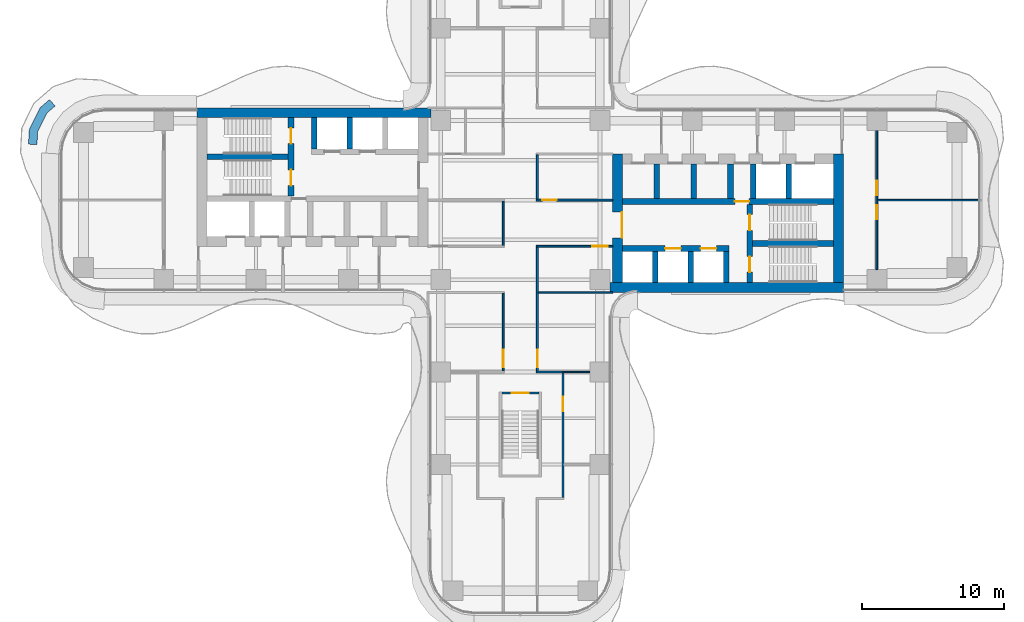
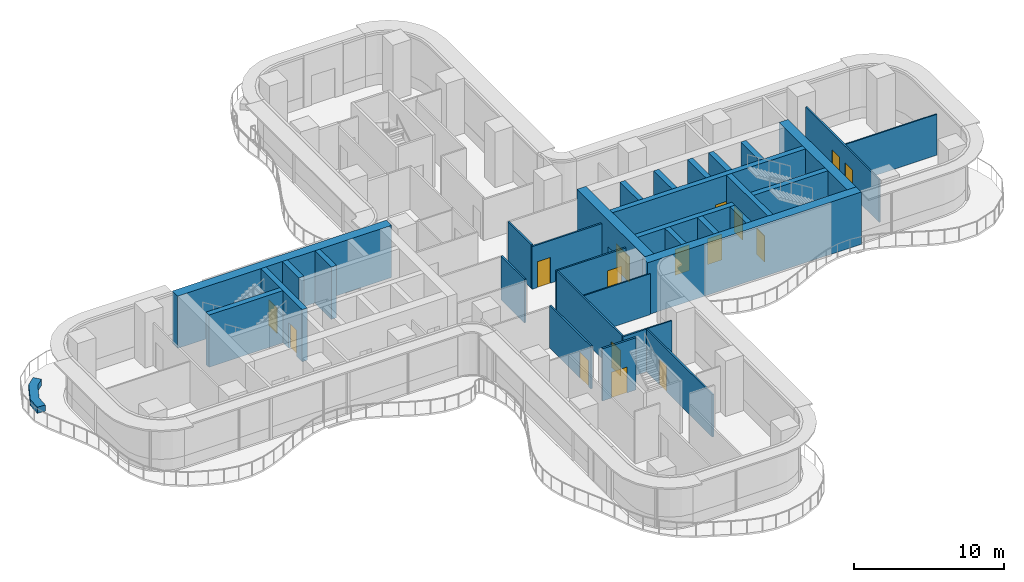
# One storey, part 18 of 22: 34 walls, 16 doors, 16 openings.
"""IFC4 building model written with IfcOpenShell, lengths in metres."""

from ifc_helpers import new_model, si_unit, direction, frame, frame_2d, origin, place, context, subcontext, project, spatial, polyline, rectangle, outline, extrude, source, transform, mapped, material, layer, layer_set, type_object, element, fill, save


model = new_model("IFC4")

# Units and contexts
model_context = context("Model", 3, precision=1e-05, world=origin(), true_north=direction((0.0, 1.0)))
body_context = subcontext(model_context, "Body", "Model", "MODEL_VIEW")
ifc_project = project(units=[si_unit("LENGTHUNIT", "METRE"), si_unit("AREAUNIT", "SQUARE_METRE"), si_unit("VOLUMEUNIT", "CUBIC_METRE"), si_unit("PLANEANGLEUNIT", "RADIAN"), si_unit("MASSUNIT", "GRAM", prefix="KILO")], contexts=[model_context])

# Site, building, storey
site_placement = place(None, origin())
site = spatial("IfcSite", under=ifc_project, at=site_placement, CompositionType="ELEMENT")
building_placement = place(site_placement, origin())
building = spatial("IfcBuilding", under=site, at=building_placement, Name="Trellis Farm Tower", CompositionType="ELEMENT")
storey_placement = place(building_placement, frame((0.0, 0.0, 61.0)))
storey = spatial("IfcBuildingStorey", under=building, at=storey_placement, Name="L12", CompositionType="ELEMENT", Elevation=61.0)

# Wall
ifc_material_1 = material(Name="Sandstone faced masonry planter", Category="masonry")
ifc_layer_1 = layer(ifc_material_1, 0.60009765625)
ifc_layer_set_1 = layer_set([ifc_layer_1], Name="PLANTER BED 600")
wall_type_1 = type_object("IfcWallType", Name="PLANTER BED 600", PredefinedType="USERDEFINED", material=ifc_layer_set_1)
wall_1_placement = place(storey_placement, origin())
element("IfcWall", 1, at=wall_1_placement, inside=storey, type_object=wall_type_1, Name="PLANTER bed", ObjectType="PLANTER", PredefinedType="USERDEFINED", context=body_context, shape_type="SweptSolid", body=[
    extrude(outline(polyline([(-33.799072265625, 6.5146484375), (-33.138916015625, 7.077880859375), (-32.74951171875, 6.62158203125), (-33.31689453125, 6.137451171875), (-33.974609375, 4.82080078125), (-34.0283203125, 3.905029296875), (-34.627197265625, 3.940185546875), (-34.566162109375, 4.97900390625), (-33.799072265625, 6.5146484375)])), origin(), (0.0, 0.0, 1.0), 0.5),
])

# Wall, opening, door
ifc_material_2 = material(Name="Concrete C80/95", Category="concrete")
ifc_layer_2 = layer(ifc_material_2, 0.699951171875)
ifc_layer_set_2 = layer_set([ifc_layer_2], Name="CORE OUTER WALL 700 CONCRETE C80/95")
wall_type_2 = type_object("IfcWallType", Name="CORE OUTER WALL 700 CONCRETE C80/95", PredefinedType="SHEAR", material=ifc_layer_set_2)
shared_shape_1 = source(origin(), body_context, "Body", "SweptSolid", [
    extrude(rectangle(XDim=9.050048828125, YDim=0.699951171875, at=frame_2d((4.52490234375, 0.0))), origin(), (0.0, 0.0, 1.0), 4.25),
])
wall_2_placement = place(storey_placement, frame((6.85009765625, -5.800048828125, 0.0), z_axis=(0.0, 0.0, 1.0), x_axis=(0.0, 1.0, 0.0)))
wall_2 = element("IfcWall", 2, at=wall_2_placement, inside=storey, type_object=wall_type_2, Name="Core wall", PredefinedType="SHEAR", context=body_context, shape_type="MappedRepresentation", body=[
    mapped(shared_shape_1, transform((0.0, 0.0, 0.0))),
])
shared_shape_2 = source(origin(), body_context, "Body", "SweptSolid", [
    extrude(rectangle(XDim=1.800048828125, YDim=2.10009765625, at=frame_2d((0.89990234375, 1.050048828125))), frame((0.0, 0.360107421875, 0.0), z_axis=(0.0, -1.0, 0.0), x_axis=(1.0, 0.0, 0.0)), (0.0, 0.0, 1.0), 0.72021484375),
])
opening_1_placement = place(wall_2_placement, frame((3.14990234375, 0.0, 0.0)))
opening_1 = element("IfcOpeningElement", 3, at=opening_1_placement, cuts=wall_2, Name="Opening DC1", PredefinedType="OPENING", context=body_context, shape_type="MappedRepresentation", body=[
    mapped(shared_shape_2, transform((0.0, 0.0, 0.0))),
])
ifc_material_3 = material(Name="Steel", Category="steel")
door_type_1 = type_object("IfcDoorType", Name="CORE FIRE DOOR DOUBLE 1800 X 2100", OperationType="DOUBLE_DOOR_SINGLE_SWING", PredefinedType="DOOR", material=ifc_material_3)
shared_shape_3 = source(origin(), body_context, "Body", "SweptSolid", [
    extrude(rectangle(XDim=1.800048828125, YDim=2.10009765625, at=frame_2d((0.89990234375, 1.050048828125))), frame((0.0, -0.27490234375, 0.0), z_axis=(0.0, -1.0, 0.0), x_axis=(1.0, 0.0, 0.0)), (0.0, 0.0, 1.0), 0.050048828125),
])
door_1_placement = place(opening_1_placement, origin())
door_1 = element("IfcDoor", 4, at=door_1_placement, inside=storey, type_object=door_type_1, Name="Core door", OperationType="DOUBLE_DOOR_SINGLE_SWING", OverallHeight=2.10009765625, OverallWidth=1.800048828125, PredefinedType="DOOR", context=body_context, shape_type="MappedRepresentation", body=[
    mapped(shared_shape_3, transform((0.0, 0.0, 0.0))),
])
fill(opening_1, door_1)

# Walls
wall_3_placement = place(storey_placement, frame((22.39990234375, -5.800048828125, 0.0), z_axis=(0.0, 0.0, 1.0), x_axis=(0.0, 1.0, 0.0)))
element("IfcWall", 5, at=wall_3_placement, inside=storey, type_object=wall_type_2, Name="Core wall", PredefinedType="SHEAR", context=body_context, shape_type="MappedRepresentation", body=[
    mapped(shared_shape_1, transform((0.0, 0.0, 0.0))),
])
ifc_layer_3 = layer(ifc_material_2, 0.39990234375)
ifc_layer_set_3 = layer_set([ifc_layer_3], Name="CORE INNER WALL 400 CONCRETE C80/95")
wall_type_3 = type_object("IfcWallType", Name="CORE INNER WALL 400 CONCRETE C80/95", PredefinedType="SHEAR", material=ifc_layer_set_3)
shared_shape_4 = source(origin(), body_context, "Body", "SweptSolid", [
    extrude(rectangle(XDim=2.199951171875, YDim=0.39990234375, at=frame_2d((1.10009765625, 0.0))), origin(), (0.0, 0.0, 1.0), 4.25),
])
for number, where, z_axis, x_axis, name in (
    (6, (9.5, -5.800048828125, 0.0), (0.0, 0.0, 1.0), (0.0, 1.0, 0.0), "Core wall"),
    (7, (12.0, -5.800048828125, 0.0), (0.0, 0.0, 1.0), (0.0, 1.0, 0.0), "Core wall"),
    (8, (14.5, -5.800048828125, 0.0), (0.0, 0.0, 1.0), (0.0, 1.0, 0.0), "Core wall"),
    (9, (-12.0, 5.800048828125, 0.0), (0.0, 0.0, 1.0), (0.0, -1.0, 0.0), "Core wall"),
    (10, (-14.5, 5.800048828125, 0.0), (0.0, 0.0, 1.0), (0.0, -1.0, 0.0), "Core wall"),
):
    element("IfcWall", number, at=place(storey_placement, frame(where, z_axis=z_axis, x_axis=x_axis)), inside=storey, type_object=wall_type_3, Name=name, PredefinedType="SHEAR", context=body_context, shape_type="MappedRepresentation", body=[
        mapped(shared_shape_4, transform((0.0, 0.0, 0.0))),
    ])
shared_shape_5 = source(origin(), body_context, "Body", "SweptSolid", [
    extrude(rectangle(XDim=2.449951171875, YDim=0.39990234375, at=frame_2d((1.22509765625, 0.0))), origin(), (0.0, 0.0, 1.0), 4.25),
])
for number, where, z_axis, x_axis, name in (
    (11, (9.60009765625, 0.10009765625, 0.0), (0.0, 0.0, 1.0), (0.0, 1.0, 0.0), "Core wall"),
    (12, (12.199951171875, 0.10009765625, 0.0), (0.0, 0.0, 1.0), (0.0, 1.0, 0.0), "Core wall"),
    (13, (14.800048828125, 0.10009765625, 0.0), (0.0, 0.0, 1.0), (0.0, 1.0, 0.0), "Core wall"),
    (14, (16.39990234375, 0.10009765625, 0.0), (0.0, 0.0, 1.0), (0.0, 1.0, 0.0), "Core wall"),
    (15, (18.89990234375, 0.10009765625, 0.0), (0.0, 0.0, 1.0), (0.0, 1.0, 0.0), "Core wall"),
):
    element("IfcWall", number, at=place(storey_placement, frame(where, z_axis=z_axis, x_axis=x_axis)), inside=storey, type_object=wall_type_3, Name=name, PredefinedType="SHEAR", context=body_context, shape_type="MappedRepresentation", body=[
        mapped(shared_shape_5, transform((0.0, 0.0, 0.0))),
    ])
shared_shape_6 = source(origin(), body_context, "Body", "SweptSolid", [
    extrude(rectangle(XDim=16.449951171875, YDim=0.699951171875, at=frame_2d((8.22509765625, 0.0))), origin(), (0.0, 0.0, 1.0), 4.25),
])
for number, where, z_axis, x_axis, name in (
    (16, (6.300048828125, -6.14990234375, 0.0), (0.0, 0.0, 1.0), (1.0, 0.0, 0.0), "Core wall"),
    (17, (-6.300048828125, 6.14990234375, 0.0), (0.0, 0.0, 1.0), (-1.0, 0.0, 0.0), "Core wall"),
):
    element("IfcWall", number, at=place(storey_placement, frame(where, z_axis=z_axis, x_axis=x_axis)), inside=storey, type_object=wall_type_2, Name=name, PredefinedType="SHEAR", context=body_context, shape_type="MappedRepresentation", body=[
        mapped(shared_shape_6, transform((0.0, 0.0, 0.0))),
    ])

# Wall, openings, doors
shared_shape_7 = source(origin(), body_context, "Body", "SweptSolid", [
    extrude(rectangle(XDim=7.5, YDim=0.39990234375, at=frame_2d((3.75, 0.0))), origin(), (0.0, 0.0, 1.0), 4.25),
])
wall_4_placement = place(storey_placement, frame((7.199951171875, -3.39990234375, 0.0), z_axis=(0.0, 0.0, 1.0), x_axis=(1.0, 0.0, 0.0)))
wall_4 = element("IfcWall", 18, at=wall_4_placement, inside=storey, type_object=wall_type_3, Name="Core wall", PredefinedType="SHEAR", context=body_context, shape_type="MappedRepresentation", body=[
    mapped(shared_shape_7, transform((0.0, 0.0, 0.0))),
])
shared_shape_8 = source(origin(), body_context, "Body", "SweptSolid", [
    extrude(rectangle(XDim=1.10009765625, YDim=2.10009765625, at=frame_2d((0.550048828125, 1.050048828125))), frame((0.0, 0.2099609375, 0.0), z_axis=(0.0, -1.0, 0.0), x_axis=(1.0, 0.0, 0.0)), (0.0, 0.0, 1.0), 0.419921875),
])
opening_2_placement = place(wall_4_placement, frame((3.0, 0.0, 0.0)))
opening_2 = element("IfcOpeningElement", 19, at=opening_2_placement, cuts=wall_4, Name="Opening LD2", PredefinedType="OPENING", context=body_context, shape_type="MappedRepresentation", body=[
    mapped(shared_shape_8, transform((0.0, 0.0, 0.0))),
])
opening_3_placement = place(wall_4_placement, frame((5.5, 0.0, 0.0)))
opening_3 = element("IfcOpeningElement", 20, at=opening_3_placement, cuts=wall_4, Name="Opening LD3", PredefinedType="OPENING", context=body_context, shape_type="MappedRepresentation", body=[
    mapped(shared_shape_8, transform((0.0, 0.0, 0.0))),
])
ifc_material_4 = material(Name="Stainless steel", Category="steel")
door_type_2 = type_object("IfcDoorType", Name="LIFT LANDING DOOR 1100 X 2100", OperationType="DOUBLE_DOOR_SLIDING", PredefinedType="DOOR", material=ifc_material_4)
shared_shape_9 = source(origin(), body_context, "Body", "SweptSolid", [
    extrude(rectangle(XDim=1.10009765625, YDim=2.10009765625, at=frame_2d((0.550048828125, 1.050048828125))), frame((0.0, 0.02490234375, 0.0), z_axis=(0.0, -1.0, 0.0), x_axis=(1.0, 0.0, 0.0)), (0.0, 0.0, 1.0), 0.050048828125),
])
door_2_placement = place(opening_2_placement, origin())
door_2 = element("IfcDoor", 21, at=door_2_placement, inside=storey, type_object=door_type_2, Name="Lift landing door", OperationType="DOUBLE_DOOR_SLIDING", OverallHeight=2.10009765625, OverallWidth=1.10009765625, PredefinedType="DOOR", context=body_context, shape_type="MappedRepresentation", body=[
    mapped(shared_shape_9, transform((0.0, 0.0, 0.0))),
])
fill(opening_2, door_2)
door_3_placement = place(opening_3_placement, origin())
door_3 = element("IfcDoor", 22, at=door_3_placement, inside=storey, type_object=door_type_2, Name="Lift landing door", OperationType="DOUBLE_DOOR_SLIDING", OverallHeight=2.10009765625, OverallWidth=1.10009765625, PredefinedType="DOOR", context=body_context, shape_type="MappedRepresentation", body=[
    mapped(shared_shape_9, transform((0.0, 0.0, 0.0))),
])
fill(opening_3, door_3)

# Wall, opening, door
shared_shape_10 = source(origin(), body_context, "Body", "SweptSolid", [
    extrude(rectangle(XDim=14.85009765625, YDim=0.39990234375, at=frame_2d((7.425048828125, 0.0))), origin(), (0.0, 0.0, 1.0), 4.25),
])
wall_5_placement = place(storey_placement, frame((7.199951171875, -0.10009765625, 0.0), z_axis=(0.0, 0.0, 1.0), x_axis=(1.0, 0.0, 0.0)))
wall_5 = element("IfcWall", 23, at=wall_5_placement, inside=storey, type_object=wall_type_3, Name="Core wall", PredefinedType="SHEAR", context=body_context, shape_type="MappedRepresentation", body=[
    mapped(shared_shape_10, transform((0.0, 0.0, 0.0))),
])
shared_shape_11 = source(origin(), body_context, "Body", "SweptSolid", [
    extrude(rectangle(XDim=1.0, YDim=2.10009765625, at=frame_2d((0.5, 1.050048828125))), frame((0.0, 0.2099609375, 0.0), z_axis=(0.0, -1.0, 0.0), x_axis=(1.0, 0.0, 0.0)), (0.0, 0.0, 1.0), 0.419921875),
])
opening_4_placement = place(wall_5_placement, frame((7.89990234375, 0.0, 0.0)))
opening_4 = element("IfcOpeningElement", 24, at=opening_4_placement, cuts=wall_5, Name="Opening DC5", PredefinedType="OPENING", context=body_context, shape_type="MappedRepresentation", body=[
    mapped(shared_shape_11, transform((0.0, 0.0, 0.0))),
])
door_type_3 = type_object("IfcDoorType", Name="CORE FIRE DOOR 1000 X 2100", OperationType="NOTDEFINED", PredefinedType="DOOR", material=ifc_material_3)
shared_shape_12 = source(origin(), body_context, "Body", "SweptSolid", [
    extrude(rectangle(XDim=1.0, YDim=2.10009765625, at=frame_2d((0.5, 1.050048828125))), frame((0.0, 0.02490234375, 0.0), z_axis=(0.0, -1.0, 0.0), x_axis=(1.0, 0.0, 0.0)), (0.0, 0.0, 1.0), 0.050048828125),
])
door_4_placement = place(opening_4_placement, origin())
door_4 = element("IfcDoor", 25, at=door_4_placement, inside=storey, type_object=door_type_3, Name="Core door", OperationType="SINGLE_SWING_RIGHT", OverallHeight=2.10009765625, OverallWidth=1.0, PredefinedType="DOOR", context=body_context, shape_type="MappedRepresentation", body=[
    mapped(shared_shape_12, transform((0.0, 0.0, 0.0))),
])
fill(opening_4, door_4)

# Wall, openings, doors
shared_shape_13 = source(origin(), body_context, "Body", "SweptSolid", [
    extrude(rectangle(XDim=5.5, YDim=0.39990234375, at=frame_2d((2.75, 0.0))), origin(), (0.0, 0.0, 1.0), 4.25),
])
wall_6_placement = place(storey_placement, frame((16.14990234375, -5.800048828125, 0.0), z_axis=(0.0, 0.0, 1.0), x_axis=(0.0, 1.0, 0.0)))
wall_6 = element("IfcWall", 26, at=wall_6_placement, inside=storey, type_object=wall_type_3, Name="Core wall", PredefinedType="SHEAR", context=body_context, shape_type="MappedRepresentation", body=[
    mapped(shared_shape_13, transform((0.0, 0.0, 0.0))),
])
opening_5_placement = place(wall_6_placement, frame((0.72509765625, 0.0, 0.0)))
opening_5 = element("IfcOpeningElement", 27, at=opening_5_placement, cuts=wall_6, Name="Opening DC2", PredefinedType="OPENING", context=body_context, shape_type="MappedRepresentation", body=[
    mapped(shared_shape_8, transform((0.0, 0.0, 0.0))),
])
opening_6_placement = place(wall_6_placement, frame((3.675048828125, 0.0, 0.0)))
opening_6 = element("IfcOpeningElement", 28, at=opening_6_placement, cuts=wall_6, Name="Opening DC3", PredefinedType="OPENING", context=body_context, shape_type="MappedRepresentation", body=[
    mapped(shared_shape_8, transform((0.0, 0.0, 0.0))),
])
door_type_4 = type_object("IfcDoorType", Name="CORE FIRE DOOR 1100 X 2100", OperationType="NOTDEFINED", PredefinedType="DOOR", material=ifc_material_3)
door_5_placement = place(opening_5_placement, origin())
door_5 = element("IfcDoor", 29, at=door_5_placement, inside=storey, type_object=door_type_4, Name="Core door", OperationType="SINGLE_SWING_RIGHT", OverallHeight=2.10009765625, OverallWidth=1.10009765625, PredefinedType="DOOR", context=body_context, shape_type="MappedRepresentation", body=[
    mapped(shared_shape_9, transform((0.0, 0.0, 0.0))),
])
fill(opening_5, door_5)
door_6_placement = place(opening_6_placement, origin())
door_6 = element("IfcDoor", 30, at=door_6_placement, inside=storey, type_object=door_type_4, Name="Core door", OperationType="SINGLE_SWING_LEFT", OverallHeight=2.10009765625, OverallWidth=1.10009765625, PredefinedType="DOOR", context=body_context, shape_type="MappedRepresentation", body=[
    mapped(shared_shape_9, transform((0.0, 0.0, 0.0))),
])
fill(opening_6, door_6)

wall_7_placement = place(storey_placement, frame((-16.14990234375, 5.800048828125, 0.0), z_axis=(0.0, 0.0, 1.0), x_axis=(0.0, -1.0, 0.0)))
wall_7 = element("IfcWall", 31, at=wall_7_placement, inside=storey, type_object=wall_type_3, Name="Core wall", PredefinedType="SHEAR", context=body_context, shape_type="MappedRepresentation", body=[
    mapped(shared_shape_13, transform((0.0, 0.0, 0.0))),
])
opening_7_placement = place(wall_7_placement, frame((0.72509765625, 0.0, 0.0)))
opening_7 = element("IfcOpeningElement", 32, at=opening_7_placement, cuts=wall_7, Name="Opening DC88", PredefinedType="OPENING", context=body_context, shape_type="MappedRepresentation", body=[
    mapped(shared_shape_8, transform((0.0, 0.0, 0.0))),
])
opening_8_placement = place(wall_7_placement, frame((3.675048828125, 0.0, 0.0)))
opening_8 = element("IfcOpeningElement", 33, at=opening_8_placement, cuts=wall_7, Name="Opening DC89", PredefinedType="OPENING", context=body_context, shape_type="MappedRepresentation", body=[
    mapped(shared_shape_8, transform((0.0, 0.0, 0.0))),
])
door_7_placement = place(opening_7_placement, origin())
door_7 = element("IfcDoor", 34, at=door_7_placement, inside=storey, type_object=door_type_4, Name="Core door", OperationType="SINGLE_SWING_RIGHT", OverallHeight=2.10009765625, OverallWidth=1.10009765625, PredefinedType="DOOR", context=body_context, shape_type="MappedRepresentation", body=[
    mapped(shared_shape_9, transform((0.0, 0.0, 0.0))),
])
fill(opening_7, door_7)
door_8_placement = place(opening_8_placement, origin())
door_8 = element("IfcDoor", 35, at=door_8_placement, inside=storey, type_object=door_type_4, Name="Core door", OperationType="SINGLE_SWING_LEFT", OverallHeight=2.10009765625, OverallWidth=1.10009765625, PredefinedType="DOOR", context=body_context, shape_type="MappedRepresentation", body=[
    mapped(shared_shape_9, transform((0.0, 0.0, 0.0))),
])
fill(opening_8, door_8)

# Walls
shared_shape_14 = source(origin(), body_context, "Body", "SweptSolid", [
    extrude(rectangle(XDim=5.699951171875, YDim=0.39990234375, at=frame_2d((2.85009765625, 0.0))), origin(), (0.0, 0.0, 1.0), 4.25),
])
for number, where, z_axis, x_axis, name in (
    (36, (16.35009765625, -3.050048828125, 0.0), (0.0, 0.0, 1.0), (1.0, 0.0, 0.0), "Core wall"),
    (37, (-16.35009765625, 3.050048828125, 0.0), (0.0, 0.0, 1.0), (-1.0, 0.0, 0.0), "Core wall"),
):
    element("IfcWall", number, at=place(storey_placement, frame(where, z_axis=z_axis, x_axis=x_axis)), inside=storey, type_object=wall_type_3, Name=name, PredefinedType="SHEAR", context=body_context, shape_type="MappedRepresentation", body=[
        mapped(shared_shape_14, transform((0.0, 0.0, 0.0))),
    ])

# Wall, opening, door
ifc_layer_4 = layer(ifc_material_2, 0.14990234375)
ifc_layer_set_4 = layer_set([ifc_layer_4], Name="CORE STAIR ENCLOSURE WALL 150 CONCRETE C80/95")
wall_type_4 = type_object("IfcWallType", Name="CORE STAIR ENCLOSURE WALL 150 CONCRETE C80/95", PredefinedType="SHEAR", material=ifc_layer_set_4)
shared_shape_15 = source(origin(), body_context, "Body", "SweptSolid", [
    extrude(rectangle(XDim=2.60009765625, YDim=0.14990234375, at=frame_2d((1.300048828125, 0.0))), origin(), (0.0, 0.0, 1.0), 4.25),
])
wall_8_placement = place(storey_placement, frame((1.300048828125, -13.574951171875, 0.0), z_axis=(0.0, 0.0, 1.0), x_axis=(-1.0, 0.0, 0.0)))
wall_8 = element("IfcWall", 38, at=wall_8_placement, inside=storey, type_object=wall_type_4, Name="Stair enclosure wall", PredefinedType="SHEAR", context=body_context, shape_type="MappedRepresentation", body=[
    mapped(shared_shape_15, transform((0.0, 0.0, 0.0))),
])
shared_shape_16 = source(origin(), body_context, "Body", "SweptSolid", [
    extrude(rectangle(XDim=1.199951171875, YDim=2.10009765625, at=frame_2d((0.60009765625, 1.050048828125))), frame((0.0, 0.0849609375, 0.0), z_axis=(0.0, -1.0, 0.0), x_axis=(1.0, 0.0, 0.0)), (0.0, 0.0, 1.0), 0.169921875),
])
opening_9_placement = place(wall_8_placement, frame((0.699951171875, 0.0, 0.0)))
opening_9 = element("IfcOpeningElement", 39, at=opening_9_placement, cuts=wall_8, Name="Opening DC174", PredefinedType="OPENING", context=body_context, shape_type="MappedRepresentation", body=[
    mapped(shared_shape_16, transform((0.0, 0.0, 0.0))),
])
door_type_5 = type_object("IfcDoorType", Name="CORE FIRE DOOR 1200 X 2100", OperationType="NOTDEFINED", PredefinedType="DOOR", material=ifc_material_3)
shared_shape_17 = source(origin(), body_context, "Body", "SweptSolid", [
    extrude(rectangle(XDim=1.199951171875, YDim=2.10009765625, at=frame_2d((0.60009765625, 1.050048828125))), frame((0.0, 0.02490234375, 0.0), z_axis=(0.0, -1.0, 0.0), x_axis=(1.0, 0.0, 0.0)), (0.0, 0.0, 1.0), 0.050048828125),
])
door_9_placement = place(opening_9_placement, origin())
door_9 = element("IfcDoor", 40, at=door_9_placement, inside=storey, type_object=door_type_5, Name="Core door", OperationType="SINGLE_SWING_RIGHT", OverallHeight=2.10009765625, OverallWidth=1.199951171875, PredefinedType="DOOR", context=body_context, shape_type="MappedRepresentation", body=[
    mapped(shared_shape_17, transform((0.0, 0.0, 0.0))),
])
fill(opening_9, door_9)

# Walls
ifc_material_5 = material(Name="Plasterboard on steel studs, mineral wool", Category="steel")
ifc_layer_5 = layer(ifc_material_5, 0.125)
ifc_layer_set_5 = layer_set([ifc_layer_5], Name="PARTITION 125 STUD EI 60")
wall_type_5 = type_object("IfcWallType", Name="PARTITION 125 STUD EI 60", PredefinedType="PARTITIONING", material=ifc_layer_set_5)
shared_shape_18 = source(origin(), body_context, "Body", "SweptSolid", [
    extrude(rectangle(XDim=3.125, YDim=0.125, at=frame_2d((1.5625, 0.0))), origin(), (0.0, 0.0, 1.0), 3.54638671875),
])
for number, where, z_axis, x_axis, name in (
    (41, (-1.199951171875, -0.0625, 0.0), (0.0, 0.0, 1.0), (0.0, -1.0, 0.0), "Partition PW1"),
    (42, (1.199951171875, 3.1875, 0.0), (0.0, 0.0, 1.0), (0.0, -1.0, 0.0), "Partition PW1"),
):
    element("IfcWall", number, at=place(storey_placement, frame(where, z_axis=z_axis, x_axis=x_axis)), inside=storey, type_object=wall_type_5, Name=name, PredefinedType="PARTITIONING", context=body_context, shape_type="MappedRepresentation", body=[
        mapped(shared_shape_18, transform((0.0, 0.0, 0.0))),
    ])

# Wall, opening, door
shared_shape_19 = source(origin(), body_context, "Body", "SweptSolid", [
    extrude(rectangle(XDim=5.47509765625, YDim=0.125, at=frame_2d((2.737548828125, 0.0))), origin(), (0.0, 0.0, 1.0), 3.4677734375),
])
wall_9_placement = place(storey_placement, frame((-1.199951171875, -6.5625, 0.0), z_axis=(0.0, 0.0, 1.0), x_axis=(0.0, -1.0, 0.0)))
wall_9 = element("IfcWall", 43, at=wall_9_placement, inside=storey, type_object=wall_type_5, Name="Partition PW1", PredefinedType="PARTITIONING", context=body_context, shape_type="MappedRepresentation", body=[
    mapped(shared_shape_19, transform((0.0, 0.0, 0.0))),
])
shared_shape_20 = source(origin(), body_context, "Body", "SweptSolid", [
    extrude(rectangle(XDim=1.199951171875, YDim=2.10009765625, at=frame_2d((0.60009765625, 1.050048828125))), frame((0.0, 0.072509765625, 0.0), z_axis=(0.0, -1.0, 0.0), x_axis=(1.0, 0.0, 0.0)), (0.0, 0.0, 1.0), 0.14501953125),
])
opening_10_placement = place(wall_9_placement, frame((3.987548828125, 0.0, 0.0)))
opening_10 = element("IfcOpeningElement", 44, at=opening_10_placement, cuts=wall_9, Name="Opening D601", PredefinedType="OPENING", context=body_context, shape_type="MappedRepresentation", body=[
    mapped(shared_shape_20, transform((0.0, 0.0, 0.0))),
])
ifc_material_6 = material(Name="Fire-rated timber door leaf in a hollow metal frame", Category="wood")
door_type_6 = type_object("IfcDoorType", Name="DOOR 1200x2100 FD30S", OperationType="NOTDEFINED", PredefinedType="DOOR", material=ifc_material_6)
door_10_placement = place(opening_10_placement, origin())
door_10 = element("IfcDoor", 45, at=door_10_placement, inside=storey, type_object=door_type_6, Name="Door D601", OperationType="SINGLE_SWING_RIGHT", OverallHeight=2.10009765625, OverallWidth=1.199951171875, PredefinedType="DOOR", context=body_context, shape_type="MappedRepresentation", body=[
    mapped(shared_shape_17, transform((0.0, 0.0, 0.0))),
])
fill(opening_10, door_10)

# Wall, openings, doors
shared_shape_21 = source(origin(), body_context, "Body", "SweptSolid", [
    extrude(rectangle(XDim=9.7998046875, YDim=0.125, at=frame_2d((4.89990234375, 0.0))), origin(), (0.0, 0.0, 1.0), 3.4677734375),
])
wall_10_placement = place(storey_placement, frame((25.10009765625, 4.89990234375, 0.0), z_axis=(0.0, 0.0, 1.0), x_axis=(0.0, -1.0, 0.0)))
wall_10 = element("IfcWall", 46, at=wall_10_placement, inside=storey, type_object=wall_type_5, Name="Partition PW1", PredefinedType="PARTITIONING", context=body_context, shape_type="MappedRepresentation", body=[
    mapped(shared_shape_21, transform((0.0, 0.0, 0.0))),
])
shared_shape_22 = source(origin(), body_context, "Body", "SweptSolid", [
    extrude(rectangle(XDim=1.0, YDim=2.10009765625, at=frame_2d((0.5, 1.050048828125))), frame((0.0, 0.072509765625, 0.0), z_axis=(0.0, -1.0, 0.0), x_axis=(1.0, 0.0, 0.0)), (0.0, 0.0, 1.0), 0.14501953125),
])
opening_11_placement = place(wall_10_placement, frame((5.25, 0.0, 0.0)))
opening_11 = element("IfcOpeningElement", 47, at=opening_11_placement, cuts=wall_10, Name="Opening D106", PredefinedType="OPENING", context=body_context, shape_type="MappedRepresentation", body=[
    mapped(shared_shape_22, transform((0.0, 0.0, 0.0))),
])
opening_12_placement = place(wall_10_placement, frame((3.550048828125, 0.0, 0.0)))
opening_12 = element("IfcOpeningElement", 48, at=opening_12_placement, cuts=wall_10, Name="Opening D108", PredefinedType="OPENING", context=body_context, shape_type="MappedRepresentation", body=[
    mapped(shared_shape_22, transform((0.0, 0.0, 0.0))),
])
door_type_7 = type_object("IfcDoorType", Name="DOOR 1000x2100 FD30S", OperationType="NOTDEFINED", PredefinedType="DOOR", material=ifc_material_6)
door_11_placement = place(opening_11_placement, origin())
door_11 = element("IfcDoor", 49, at=door_11_placement, inside=storey, type_object=door_type_7, Name="Door D106", OperationType="SINGLE_SWING_LEFT", OverallHeight=2.10009765625, OverallWidth=1.0, PredefinedType="DOOR", context=body_context, shape_type="MappedRepresentation", body=[
    mapped(shared_shape_12, transform((0.0, 0.0, 0.0))),
])
fill(opening_11, door_11)
door_12_placement = place(opening_12_placement, origin())
door_12 = element("IfcDoor", 50, at=door_12_placement, inside=storey, type_object=door_type_7, Name="Door D108", OperationType="SINGLE_SWING_RIGHT", OverallHeight=2.10009765625, OverallWidth=1.0, PredefinedType="DOOR", context=body_context, shape_type="MappedRepresentation", body=[
    mapped(shared_shape_12, transform((0.0, 0.0, 0.0))),
])
fill(opening_12, door_12)

# Wall
shared_shape_23 = source(origin(), body_context, "Body", "SweptSolid", [
    extrude(rectangle(XDim=1.925048828125, YDim=0.125, at=frame_2d((0.96240234375, 0.0))), origin(), (0.0, 0.0, 1.0), 3.4677734375),
])
wall_11_placement = place(storey_placement, frame((1.137451171875, -12.10009765625, 0.0), z_axis=(0.0, 0.0, 1.0), x_axis=(1.0, 0.0, 0.0)))
element("IfcWall", 51, at=wall_11_placement, inside=storey, type_object=wall_type_5, Name="Partition PW1", PredefinedType="PARTITIONING", context=body_context, shape_type="MappedRepresentation", body=[
    mapped(shared_shape_23, transform((0.0, 0.0, 0.0))),
])

# Wall, opening, door
shared_shape_24 = source(origin(), body_context, "Body", "SweptSolid", [
    extrude(rectangle(XDim=5.362548828125, YDim=0.125, at=frame_2d((2.68115234375, 0.0))), origin(), (0.0, 0.0, 1.0), 3.4677734375),
])
wall_12_placement = place(storey_placement, frame((6.5, -3.25, 0.0), z_axis=(0.0, 0.0, 1.0), x_axis=(-1.0, 0.0, 0.0)))
wall_12 = element("IfcWall", 52, at=wall_12_placement, inside=storey, type_object=wall_type_5, Name="Partition PW1", PredefinedType="PARTITIONING", context=body_context, shape_type="MappedRepresentation", body=[
    mapped(shared_shape_24, transform((0.0, 0.0, 0.0))),
])
shared_shape_25 = source(origin(), body_context, "Body", "SweptSolid", [
    extrude(rectangle(XDim=1.10009765625, YDim=2.10009765625, at=frame_2d((0.550048828125, 1.050048828125))), frame((0.0, 0.072509765625, 0.0), z_axis=(0.0, -1.0, 0.0), x_axis=(1.0, 0.0, 0.0)), (0.0, 0.0, 1.0), 0.14501953125),
])
opening_13_placement = place(wall_12_placement, frame((0.35009765625, 0.0, 0.0)))
opening_13 = element("IfcOpeningElement", 53, at=opening_13_placement, cuts=wall_12, Name="Opening D501", PredefinedType="OPENING", context=body_context, shape_type="MappedRepresentation", body=[
    mapped(shared_shape_25, transform((0.0, 0.0, 0.0))),
])
door_type_8 = type_object("IfcDoorType", Name="DOOR 1100x2100 FD30S", OperationType="NOTDEFINED", PredefinedType="DOOR", material=ifc_material_6)
door_13_placement = place(opening_13_placement, origin())
door_13 = element("IfcDoor", 54, at=door_13_placement, inside=storey, type_object=door_type_8, Name="Door D501", OperationType="SINGLE_SWING_LEFT", OverallHeight=2.10009765625, OverallWidth=1.10009765625, PredefinedType="DOOR", context=body_context, shape_type="MappedRepresentation", body=[
    mapped(shared_shape_9, transform((0.0, 0.0, 0.0))),
])
fill(opening_13, door_13)

wall_13_placement = place(storey_placement, frame((6.5, 0.0, 0.0), z_axis=(0.0, 0.0, 1.0), x_axis=(-1.0, 0.0, 0.0)))
wall_13 = element("IfcWall", 55, at=wall_13_placement, inside=storey, type_object=wall_type_5, Name="Partition PW1", PredefinedType="PARTITIONING", context=body_context, shape_type="MappedRepresentation", body=[
    mapped(shared_shape_24, transform((0.0, 0.0, 0.0))),
])
opening_14_placement = place(wall_13_placement, frame((3.949951171875, 0.0, 0.0)))
opening_14 = element("IfcOpeningElement", 56, at=opening_14_placement, cuts=wall_13, Name="Opening D107", PredefinedType="OPENING", context=body_context, shape_type="MappedRepresentation", body=[
    mapped(shared_shape_22, transform((0.0, 0.0, 0.0))),
])
door_14_placement = place(opening_14_placement, origin())
door_14 = element("IfcDoor", 57, at=door_14_placement, inside=storey, type_object=door_type_7, Name="Door D107", OperationType="SINGLE_SWING_RIGHT", OverallHeight=2.10009765625, OverallWidth=1.0, PredefinedType="DOOR", context=body_context, shape_type="MappedRepresentation", body=[
    mapped(shared_shape_12, transform((0.0, 0.0, 0.0))),
])
fill(opening_14, door_14)

shared_shape_26 = source(origin(), body_context, "Body", "SweptSolid", [
    extrude(rectangle(XDim=8.72509765625, YDim=0.125, at=frame_2d((4.362548828125, 0.0))), origin(), (0.0, 0.0, 1.0), 3.4677734375),
])
wall_14_placement = place(storey_placement, frame((1.199951171875, -3.3125, 0.0), z_axis=(0.0, 0.0, 1.0), x_axis=(0.0, -1.0, 0.0)))
wall_14 = element("IfcWall", 58, at=wall_14_placement, inside=storey, type_object=wall_type_5, Name="Partition PW1", PredefinedType="PARTITIONING", context=body_context, shape_type="MappedRepresentation", body=[
    mapped(shared_shape_26, transform((0.0, 0.0, 0.0))),
])
opening_15_placement = place(wall_14_placement, frame((7.237548828125, 0.0, 0.0)))
opening_15 = element("IfcOpeningElement", 59, at=opening_15_placement, cuts=wall_14, Name="Opening D602", PredefinedType="OPENING", context=body_context, shape_type="MappedRepresentation", body=[
    mapped(shared_shape_20, transform((0.0, 0.0, 0.0))),
])
door_15_placement = place(opening_15_placement, origin())
door_15 = element("IfcDoor", 60, at=door_15_placement, inside=storey, type_object=door_type_6, Name="Door D602", OperationType="SINGLE_SWING_RIGHT", OverallHeight=2.10009765625, OverallWidth=1.199951171875, PredefinedType="DOOR", context=body_context, shape_type="MappedRepresentation", body=[
    mapped(shared_shape_17, transform((0.0, 0.0, 0.0))),
])
fill(opening_15, door_15)

# Walls
ifc_material_7 = material(Name="Plasterboard on steel studs", Category="steel")
ifc_layer_6 = layer(ifc_material_7, 0.10009765625)
ifc_layer_set_6 = layer_set([ifc_layer_6], Name="PARTITION 100 STUD EI 30")
wall_type_6 = type_object("IfcWallType", Name="PARTITION 100 STUD EI 30", PredefinedType="PARTITIONING", material=ifc_layer_set_6)
shared_shape_27 = source(origin(), body_context, "Body", "SweptSolid", [
    extrude(rectangle(XDim=1.96240234375, YDim=0.10009765625, at=frame_2d((0.981201171875, 0.0))), origin(), (0.0, 0.0, 1.0), 3.4677734375),
])
wall_15_placement = place(storey_placement, frame((2.9375, -12.10009765625, 0.0), z_axis=(0.0, 0.0, 1.0), x_axis=(1.0, 0.0, 0.0)))
element("IfcWall", 61, at=wall_15_placement, inside=storey, type_object=wall_type_6, Name="Partition PW2", PredefinedType="PARTITIONING", context=body_context, shape_type="MappedRepresentation", body=[
    mapped(shared_shape_27, transform((0.0, 0.0, 0.0))),
])
shared_shape_28 = source(origin(), body_context, "Body", "SweptSolid", [
    extrude(rectangle(XDim=7.137451171875, YDim=0.10009765625, at=frame_2d((3.56884765625, 0.0))), origin(), (0.0, 0.0, 1.0), 3.330078125),
])
wall_16_placement = place(storey_placement, frame((25.16259765625, 0.0, 0.0), z_axis=(0.0, 0.0, 1.0), x_axis=(1.0, 0.0, 0.0)))
element("IfcWall", 62, at=wall_16_placement, inside=storey, type_object=wall_type_6, Name="Partition PW2", PredefinedType="PARTITIONING", context=body_context, shape_type="MappedRepresentation", body=[
    mapped(shared_shape_28, transform((0.0, 0.0, 0.0))),
])
shared_shape_29 = source(origin(), body_context, "Body", "SweptSolid", [
    extrude(rectangle(XDim=5.237548828125, YDim=0.10009765625, at=frame_2d((2.61865234375, 0.0))), origin(), (0.0, 0.0, 1.0), 3.330078125),
])
wall_17_placement = place(storey_placement, frame((1.262451171875, -6.5, 0.0), z_axis=(0.0, 0.0, 1.0), x_axis=(1.0, 0.0, 0.0)))
element("IfcWall", 63, at=wall_17_placement, inside=storey, type_object=wall_type_6, Name="Partition PW2", PredefinedType="PARTITIONING", context=body_context, shape_type="MappedRepresentation", body=[
    mapped(shared_shape_29, transform((0.0, 0.0, 0.0))),
])

# Wall, opening, door
shared_shape_30 = source(origin(), body_context, "Body", "SweptSolid", [
    extrude(rectangle(XDim=8.78759765625, YDim=0.125, at=frame_2d((4.393798828125, 0.0))), origin(), (0.0, 0.0, 1.0), 3.4677734375),
])
wall_18_placement = place(storey_placement, frame((3.0, -12.14990234375, 0.0), z_axis=(0.0, 0.0, 1.0), x_axis=(0.0, -1.0, 0.0)))
wall_18 = element("IfcWall", 64, at=wall_18_placement, inside=storey, type_object=wall_type_5, Name="Partition PW1", PredefinedType="PARTITIONING", context=body_context, shape_type="MappedRepresentation", body=[
    mapped(shared_shape_30, transform((0.0, 0.0, 0.0))),
])
opening_16_placement = place(wall_18_placement, frame((1.699951171875, 0.0, 0.0)))
opening_16 = element("IfcOpeningElement", 65, at=opening_16_placement, cuts=wall_18, Name="Opening D103", PredefinedType="OPENING", context=body_context, shape_type="MappedRepresentation", body=[
    mapped(shared_shape_22, transform((0.0, 0.0, 0.0))),
])
door_16_placement = place(opening_16_placement, origin())
door_16 = element("IfcDoor", 66, at=door_16_placement, inside=storey, type_object=door_type_7, Name="Door D103", OperationType="SINGLE_SWING_LEFT", OverallHeight=2.10009765625, OverallWidth=1.0, PredefinedType="DOOR", context=body_context, shape_type="MappedRepresentation", body=[
    mapped(shared_shape_12, transform((0.0, 0.0, 0.0))),
])
fill(opening_16, door_16)

save(model, "model.ifc")
